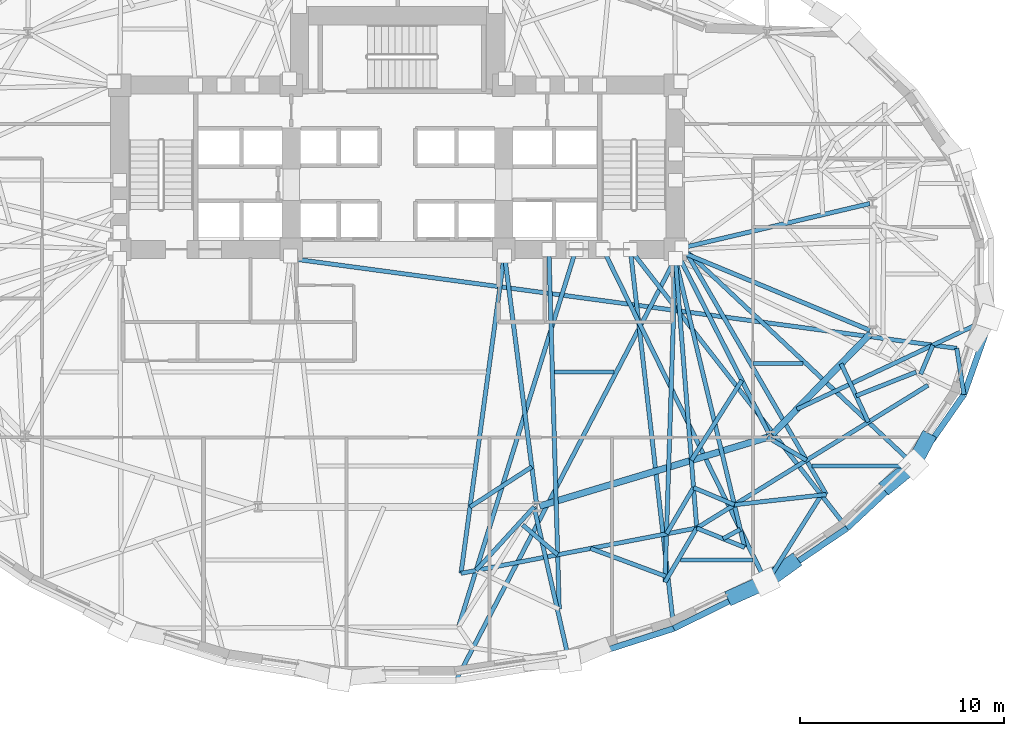
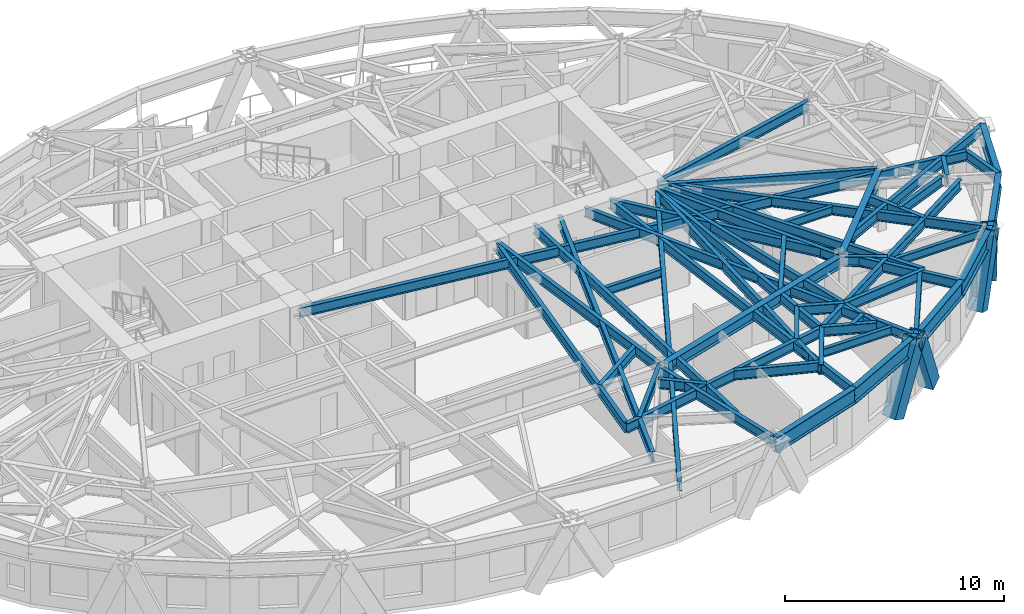
# One storey, part 3 of 15: 50 beams, 4 members.
"""IFC4 building model written with IfcOpenShell, lengths in metres."""

import ifcopenshell
import ifcopenshell.guid

model = None  # the IFC model being written
_history = None  # IfcOwnerHistory: only IFC2X3 demands one
_inside = {}  # id of a spatial element -> (the spatial element, [elements in it])
_under = {}  # id of a project, library or spatial element -> (it, [spatial elements below it])
_declared = {}  # id of a project -> (the project, [libraries it declares])
_typed = {}  # id of a type object -> (the type object, [elements of that type])
_made_of = {}  # id of a material, layer set ... -> (it, [elements and type objects made of it])


def new_model(schema):
    """Start an empty IFC model of exactly this schema.

    Asked for "IFC4X3", IfcOpenShell would pick the latest addendum, in which some entities
    have other attributes; the version numbers below select the first issue.
    IFC2X3 requires an IfcOwnerHistory on every rooted entity: one is made here for all.
    """
    global model, _history
    if schema == "IFC4X3":
        model = ifcopenshell.file(schema_version=(4, 3, 0, 0))
    else:
        model = ifcopenshell.file(schema=schema)
    _inside.clear()
    _under.clear()
    _declared.clear()
    _typed.clear()
    _made_of.clear()
    _history = None
    if model.schema == "IFC2X3":
        org = make("IfcOrganization", Name="unknown")
        user = make(
            "IfcPersonAndOrganization",
            ThePerson=make("IfcPerson", FamilyName="unknown"),
            TheOrganization=org,
        )
        app = make(
            "IfcApplication",
            ApplicationDeveloper=org,
            Version="unknown",
            ApplicationFullName="unknown",
            ApplicationIdentifier="unknown",
        )
        _history = make(
            "IfcOwnerHistory",
            OwningUser=user,
            OwningApplication=app,
            ChangeAction="ADDED",
            CreationDate=0,
        )
    return model


def make(cls, **values):
    """One entity of the class cls with the attributes given. An attribute that is None is left unset."""
    return model.create_entity(
        cls, **{name: value for name, value in values.items() if value is not None}
    )


def rooted(cls, **values):
    """An entity with a GlobalId (a new one), such as an element, a storey or a relation."""
    return make(cls, GlobalId=ifcopenshell.guid.new(), OwnerHistory=_history, **values)


def si_unit(unit_type, name, prefix=None):
    """IfcSIUnit, for example si_unit("LENGTHUNIT", "METRE", prefix="MILLI")."""
    return make("IfcSIUnit", UnitType=unit_type, Prefix=prefix, Name=name)


def assignment(units):
    """IfcUnitAssignment: the units of a project."""
    return None if units is None else make("IfcUnitAssignment", Units=units)


def point(xyz):
    """IfcCartesianPoint."""
    return None if xyz is None else make("IfcCartesianPoint", Coordinates=xyz)


def direction(xyz):
    """IfcDirection."""
    return None if xyz is None else make("IfcDirection", DirectionRatios=xyz)


def frame(location, z_axis=None, x_axis=None):
    """IfcAxis2Placement3D, a coordinate frame: its origin and axes. An axis left out is left unset."""
    return make(
        "IfcAxis2Placement3D",
        Location=point(location),
        Axis=direction(z_axis),
        RefDirection=direction(x_axis),
    )


def frame_2d(location, x_axis=None):
    """IfcAxis2Placement2D, a coordinate frame in the plane: its origin and x axis."""
    return make(
        "IfcAxis2Placement2D", Location=point(location), RefDirection=direction(x_axis)
    )


def origin():
    """The frame at (0, 0, 0) with its axes left unset."""
    return frame((0.0, 0.0, 0.0))


def origin_2d():
    """The frame at (0, 0) in the plane with its x axis left unset."""
    return frame_2d((0.0, 0.0))


def place(relative_to, where):
    """IfcLocalPlacement: puts the frame where relative to a parent placement (None: the world)."""
    return make(
        "IfcLocalPlacement", PlacementRelTo=relative_to, RelativePlacement=where
    )


def context(
    kind, dimensions, precision=None, world=None, true_north=None, identifier=None
):
    """IfcGeometricRepresentationContext, for example the 3D "Model" context."""
    return make(
        "IfcGeometricRepresentationContext",
        ContextIdentifier=identifier,
        ContextType=kind,
        CoordinateSpaceDimension=dimensions,
        Precision=precision,
        WorldCoordinateSystem=world,
        TrueNorth=true_north,
    )


def subcontext(parent, identifier, kind, view, scale=None):
    """IfcGeometricRepresentationSubContext, for example "Body" below "Model"."""
    return make(
        "IfcGeometricRepresentationSubContext",
        ContextIdentifier=identifier,
        ContextType=kind,
        ParentContext=parent,
        TargetScale=scale,
        TargetView=view,
    )


def project(units=None, contexts=None):
    """IfcProject with its units and contexts."""
    return rooted(
        "IfcProject",
        Name="project",
        RepresentationContexts=contexts,
        UnitsInContext=assignment(units),
    )


def spatial(cls, under=None, at=None, **own):
    """A site, building, storey or space (cls), placed at a placement, below another one or the project."""
    s = rooted(cls, ObjectPlacement=at, **own)
    if under is not None:
        _under.setdefault(under.id(), (under, []))[1].append(s)
    return s


def profile(cls, at=None, kind="AREA", **sizes):
    """A parametric profile (cls). Its sizes go by their IFC names, for example OverallWidth=200.0."""
    return make(cls, ProfileType=kind, Position=at, **sizes)


def hollow_rectangle(**sizes):
    """IfcRectangleHollowProfileDef."""
    return profile("IfcRectangleHollowProfileDef", **sizes)


def i_section(**sizes):
    """IfcIShapeProfileDef."""
    return profile("IfcIShapeProfileDef", **sizes)


def extrude(swept, where, along, depth):
    """IfcExtrudedAreaSolid: the profile swept, set in the frame where, extruded along a direction by depth."""
    return make(
        "IfcExtrudedAreaSolid",
        SweptArea=swept,
        Position=where,
        ExtrudedDirection=direction(along),
        Depth=depth,
    )


def shape(context_of_items, identifier, shape_type, items):
    """IfcShapeRepresentation: the items that make up one representation, for example the "Body"."""
    return make(
        "IfcShapeRepresentation",
        ContextOfItems=context_of_items,
        RepresentationIdentifier=identifier,
        RepresentationType=shape_type,
        Items=items,
    )


def material(Name=None, Category=None):
    """IfcMaterial."""
    return make("IfcMaterial", Name=Name, Category=Category)


def material_profile(
    of_material, cross_section, Name=None, Category=None, Priority=None
):
    """IfcMaterialProfile: a cross section and its material."""
    return make(
        "IfcMaterialProfile",
        Name=Name,
        Material=of_material,
        Profile=cross_section,
        Priority=Priority,
        Category=Category,
    )


def profile_set(profiles, Name=None, composite=None):
    """IfcMaterialProfileSet."""
    return make(
        "IfcMaterialProfileSet",
        Name=Name,
        MaterialProfiles=profiles,
        CompositeProfile=composite,
    )


def made_of(thing, what):
    """Note that an element or type object is made of a material, layer set ...; save() writes the relation."""
    if what is not None:
        _made_of.setdefault(what.id(), (what, []))[1].append(thing)
    return thing


def type_object(cls, material=None, **own):
    """A type object (cls), such as IfcWallType, which elements share."""
    return made_of(rooted(cls, **own), material)


def element(
    cls,
    number,
    at=None,
    inside=None,
    cuts=None,
    type_object=None,
    material=None,
    context=None,
    identifier="Body",
    shape_type=None,
    held_by="IfcProductDefinitionShape",
    body=None,
    shapes=None,
    **own,
):
    """One element of the class cls, such as IfcWall. Its Tag is "e" and its number.

    at: its placement. inside: the storey or other place that contains it. cuts: it is an
    opening in that element (IfcRelVoidsElement). A single representation is given by context,
    identifier, shape_type and body (its items); several are given by shapes. held_by: the class
    of the entity that holds the representations. save() writes the other relations.
    """
    e = rooted(cls, Tag="e%d" % number, ObjectPlacement=at, **own)
    if body is not None:
        shapes = [shape(context, identifier, shape_type, body)]
    if shapes is not None:
        e.Representation = make(held_by, Representations=shapes)
    if inside is not None:
        _inside.setdefault(inside.id(), (inside, []))[1].append(e)
    if cuts is not None:
        rooted(
            "IfcRelVoidsElement", RelatingBuildingElement=cuts, RelatedOpeningElement=e
        )
    if type_object is not None:
        _typed.setdefault(type_object.id(), (type_object, []))[1].append(e)
    return made_of(e, material)


def aggregate(whole, parts):
    """IfcRelAggregates: a whole, such as a stair, and the parts it consists of."""
    return rooted("IfcRelAggregates", RelatingObject=whole, RelatedObjects=parts)


def save(model, path):
    """Write the relations noted so far, then the file.

    IfcRelAggregates (storeys below a building ...), IfcRelContainedInSpatialStructure (elements
    in a storey), IfcRelDefinesByType, IfcRelAssociatesMaterial and IfcRelDeclares: one each for
    every whole, place, type object, material and project.
    """
    for whole, parts in _under.values():
        aggregate(whole, parts)
    for where, things in _inside.values():
        rooted(
            "IfcRelContainedInSpatialStructure",
            RelatedElements=things,
            RelatingStructure=where,
        )
    for kind, things in _typed.values():
        rooted("IfcRelDefinesByType", RelatedObjects=things, RelatingType=kind)
    for what, things in _made_of.values():
        rooted("IfcRelAssociatesMaterial", RelatedObjects=things, RelatingMaterial=what)
    for by, libraries in _declared.values():
        rooted("IfcRelDeclares", RelatingContext=by, RelatedDefinitions=libraries)
    model.write(path)


model = new_model("IFC4")

# Units and contexts
model_context = context("Model", 3, precision=1e-05, world=origin(), true_north=direction((0.0, 1.0)))
body_context = subcontext(model_context, "Body", "Model", "MODEL_VIEW")
ifc_project = project(units=[si_unit("LENGTHUNIT", "METRE"), si_unit("AREAUNIT", "SQUARE_METRE"), si_unit("VOLUMEUNIT", "CUBIC_METRE"), si_unit("PLANEANGLEUNIT", "RADIAN"), si_unit("MASSUNIT", "GRAM", prefix="KILO")], contexts=[model_context])

# Site, building, storey
site_placement = place(None, origin())
site = spatial("IfcSite", under=ifc_project, at=site_placement, CompositionType="ELEMENT")
building_placement = place(site_placement, origin())
building = spatial("IfcBuilding", under=site, at=building_placement, Name="Keldmark Tower", CompositionType="ELEMENT")
storey_placement = place(building_placement, frame((0.0, 0.0, 55.800048828125)))
storey = spatial("IfcBuildingStorey", under=building, at=storey_placement, Name="L14", CompositionType="ELEMENT", Elevation=55.800048828125)

# Beams
ifc_material_1 = material(Name="Steel ASTM A992 Grade 50", Category="steel")
ifc_material_profile_1 = material_profile(ifc_material_1, i_section(OverallWidth=0.19091796875, OverallDepth=0.45703125, WebThickness=0.009033203125, FlangeThickness=0.014404296875, at=origin_2d()), Name="W18X50")
ifc_profile_set_1 = profile_set([ifc_material_profile_1], Name="Steel ASTM A992 Grade 50")
beam_type_1 = type_object("IfcBeamType", Name="Composite Floor Joist W18X50", PredefinedType="JOIST", material=ifc_profile_set_1)
beam_1_placement = place(storey_placement, frame((13.841552734375, -13.800048828125, 3.17138671875), z_axis=(1.0, 0.0, 0.0), x_axis=(0.0, 1.0, 0.0)))
element("IfcBeam", 1, at=beam_1_placement, inside=storey, type_object=beam_type_1, Name="L14 Composite Floor Joist J02", PredefinedType="JOIST", context=body_context, shape_type="SweptSolid", body=[
    extrude(i_section(OverallWidth=0.19091796875, OverallDepth=0.45703125, WebThickness=0.009033203125, FlangeThickness=0.014404296875, at=origin_2d()), origin(), (0.0, 0.0, 1.0), 3.562744140625),
])
beam_2_placement = place(storey_placement, frame((20.292724609375, -9.199951171875, 3.17138671875), z_axis=(1.0, 0.0, 0.0), x_axis=(0.0, 1.0, 0.0)))
element("IfcBeam", 2, at=beam_2_placement, inside=storey, type_object=beam_type_1, Name="L14 Composite Floor Joist J04", PredefinedType="JOIST", context=body_context, shape_type="SweptSolid", body=[
    extrude(i_section(OverallWidth=0.19091796875, OverallDepth=0.45703125, WebThickness=0.009033203125, FlangeThickness=0.014404296875, at=origin_2d()), origin(), (0.0, 0.0, 1.0), 4.774658203125),
])
beam_3_placement = place(storey_placement, frame((7.676025390625, -4.60009765625, 3.17138671875), z_axis=(1.0, 0.0, 0.0), x_axis=(0.0, 1.0, 0.0)))
element("IfcBeam", 3, at=beam_3_placement, inside=storey, type_object=beam_type_1, Name="L14 Composite Floor Joist J09", PredefinedType="JOIST", context=body_context, shape_type="SweptSolid", body=[
    extrude(i_section(OverallWidth=0.19091796875, OverallDepth=0.45703125, WebThickness=0.009033203125, FlangeThickness=0.014404296875, at=origin_2d()), origin(), (0.0, 0.0, 1.0), 2.92919921875),
])
beam_4_placement = place(storey_placement, frame((17.38916015625, -4.179931640625, 3.17138671875), z_axis=(1.0, 0.0, 0.0), x_axis=(0.0, 1.0, 0.0)))
element("IfcBeam", 4, at=beam_4_placement, inside=storey, type_object=beam_type_1, Name="L14 Composite Floor Joist J10", PredefinedType="JOIST", context=body_context, shape_type="SweptSolid", body=[
    extrude(i_section(OverallWidth=0.19091796875, OverallDepth=0.45703125, WebThickness=0.009033203125, FlangeThickness=0.014404296875, at=origin_2d()), origin(), (0.0, 0.0, 1.0), 2.45947265625),
])

# Members
ifc_material_2 = material(Name="Steel ASTM A572 Grade 50", Category="steel")
ifc_material_profile_2 = material_profile(ifc_material_2, hollow_rectangle(XDim=0.75, YDim=0.75, WallThickness=0.06494140625, at=origin_2d()), Name="BOX750X750X65")
ifc_profile_set_2 = profile_set([ifc_material_profile_2], Name="Steel ASTM A572 Grade 50")
member_type = type_object("IfcMemberType", Name="Diagrid Lower Brace BOX750X750X65", PredefinedType="BRACE", material=ifc_profile_set_2)
member_1_placement = place(storey_placement, frame((16.474853515625, -15.562744140625, -0.280029296875), z_axis=(0.394398045756, 0.176387521797, 0.901852329186), x_axis=(-0.408262474326, 0.912864585827, 0.0)))
element("IfcMember", 5, at=member_1_placement, inside=storey, type_object=member_type, Name="L14 Perimeter Diagrid Brace 14A", PredefinedType="BRACE", context=body_context, shape_type="SweptSolid", body=[
    extrude(hollow_rectangle(XDim=0.75, YDim=0.75, WallThickness=0.06494140625, at=origin_2d()), origin(), (0.0, 0.0, 1.0), 3.947509765625),
])
member_2_placement = place(storey_placement, frame((19.30078125, -13.953369140625, -0.280029296875), z_axis=(-0.328492196876, -0.23624095182, 0.914485149838), x_axis=(0.583859583591, -0.811854658574, 0.0)))
element("IfcMember", 6, at=member_2_placement, inside=storey, type_object=member_type, Name="L14 Perimeter Diagrid Brace 14B", PredefinedType="BRACE", context=body_context, shape_type="SweptSolid", body=[
    extrude(hollow_rectangle(XDim=0.75, YDim=0.75, WallThickness=0.06494140625, at=origin_2d()), origin(), (0.0, 0.0, 1.0), 3.89306640625),
])
member_3_placement = place(storey_placement, frame((24.06005859375, -10.116943359375, -0.280029296875), z_axis=(0.308266331078, 0.253818310945, 0.916814121921), x_axis=(-0.635635503745, 0.771989317529, 0.0)))
element("IfcMember", 7, at=member_3_placement, inside=storey, type_object=member_type, Name="L14 Perimeter Diagrid Brace 15A", PredefinedType="BRACE", context=body_context, shape_type="SweptSolid", body=[
    extrude(hollow_rectangle(XDim=0.75, YDim=0.75, WallThickness=0.06494140625, at=origin_2d()), origin(), (0.0, 0.0, 1.0), 3.883056640625),
])
member_4_placement = place(storey_placement, frame((25.892578125, -7.9375, -0.280029296875), z_axis=(-0.168418020672, -0.315703742171, 0.933791474309), x_axis=(0.882303395469, -0.470681121721, 0.0)))
element("IfcMember", 8, at=member_4_placement, inside=storey, type_object=member_type, Name="L14 Perimeter Diagrid Brace 15B", PredefinedType="BRACE", context=body_context, shape_type="SweptSolid", body=[
    extrude(hollow_rectangle(XDim=0.75, YDim=0.75, WallThickness=0.06494140625, at=origin_2d()), origin(), (0.0, 0.0, 1.0), 3.8125),
])

# Beams
ifc_material_3 = material(Name="Steel ASTM A992 Grade 50", Category="steel")
ifc_material_profile_3 = material_profile(ifc_material_3, i_section(OverallWidth=0.323974609375, OverallDepth=0.611083984375, WebThickness=0.0126953125, FlangeThickness=0.01904296875, at=origin_2d()), Name="W24X104")
ifc_profile_set_3 = profile_set([ifc_material_profile_3], Name="Steel ASTM A992 Grade 50")
beam_type_2 = type_object("IfcBeamType", Name="Primary Floor Girder W24X104", PredefinedType="BEAM", material=ifc_profile_set_3)
beam_5_placement = place(storey_placement, frame((6.9560546875, -11.165283203125, 3.094482421875), z_axis=(0.957346071406, 0.2889437654, 0.0), x_axis=(-0.2889437654, 0.957346071406, 0.0)))
element("IfcBeam", 9, at=beam_5_placement, inside=storey, type_object=beam_type_2, Name="L14 Floor Ring Girder FG-R10", PredefinedType="BEAM", context=body_context, shape_type="SweptSolid", body=[
    extrude(i_section(OverallWidth=0.323974609375, OverallDepth=0.611083984375, WebThickness=0.0126953125, FlangeThickness=0.01904296875, at=origin_2d()), origin(), (0.0, 0.0, 1.0), 11.66015625),
])
beam_6_placement = place(storey_placement, frame((18.350341796875, -7.6552734375, 3.094482421875), z_axis=(0.697210382268, 0.716866572563, 0.0), x_axis=(-0.716866572563, 0.697210382268, 0.0)))
element("IfcBeam", 10, at=beam_6_placement, inside=storey, type_object=beam_type_2, Name="L14 Floor Ring Girder FG-R11", PredefinedType="BEAM", context=body_context, shape_type="SweptSolid", body=[
    extrude(i_section(OverallWidth=0.323974609375, OverallDepth=0.611083984375, WebThickness=0.0126953125, FlangeThickness=0.01904296875, at=origin_2d()), origin(), (0.0, 0.0, 1.0), 6.893310546875),
])
ifc_material_4 = material(Name="Steel ASTM A992 Grade 50", Category="steel")
ifc_material_profile_4 = material_profile(ifc_material_4, i_section(OverallWidth=0.2099609375, OverallDepth=0.537109375, WebThickness=0.010986328125, FlangeThickness=0.017333984375, at=origin_2d()), Name="W21X68")
ifc_profile_set_4 = profile_set([ifc_material_profile_4], Name="Steel ASTM A992 Grade 50")
beam_type_3 = type_object("IfcBeamType", Name="Radial Tie Girder W21X68", PredefinedType="BEAM", material=ifc_profile_set_4)
beam_7_placement = place(storey_placement, frame((6.569580078125, -9.24462890625, 3.13134765625), z_axis=(-0.838836668828, -0.54438317666, 0.0), x_axis=(0.54438317666, -0.838836668828, 0.0)))
element("IfcBeam", 11, at=beam_7_placement, inside=storey, type_object=beam_type_3, Name="L14 Framing Pin Header PH-008", PredefinedType="BEAM", context=body_context, shape_type="SweptSolid", body=[
    extrude(i_section(OverallWidth=0.2099609375, OverallDepth=0.537109375, WebThickness=0.010986328125, FlangeThickness=0.017333984375, at=origin_2d()), origin(), (0.0, 0.0, 1.0), 3.6025390625),
])
beam_8_placement = place(storey_placement, frame((5.199951171875, 0.949951171875, 3.13134765625), z_axis=(-0.134684338664, -0.990888555247, 0.0), x_axis=(0.990888555247, -0.134684338664, 0.0)))
element("IfcBeam", 12, at=beam_8_placement, inside=storey, type_object=beam_type_3, Name="L14 Sub-Ring Step Girder STP2-M10", PredefinedType="BEAM", context=body_context, shape_type="SweptSolid", body=[
    extrude(i_section(OverallWidth=0.2099609375, OverallDepth=0.537109375, WebThickness=0.010986328125, FlangeThickness=0.017333984375, at=origin_2d()), origin(), (0.0, 0.0, 1.0), 15.54736328125),
])
beam_9_placement = place(storey_placement, frame((16.856201171875, -5.007080078125, 3.13134765625), z_axis=(-0.533798607914, -0.845611640287, 0.0), x_axis=(0.845611640287, -0.533798607914, 0.0)))
element("IfcBeam", 13, at=beam_9_placement, inside=storey, type_object=beam_type_3, Name="L14 Framing Pin Header PH-009", PredefinedType="BEAM", context=body_context, shape_type="SweptSolid", body=[
    extrude(i_section(OverallWidth=0.2099609375, OverallDepth=0.537109375, WebThickness=0.010986328125, FlangeThickness=0.017333984375, at=origin_2d()), origin(), (0.0, 0.0, 1.0), 4.63134765625),
])
beam_10_placement = place(storey_placement, frame((13.60009765625, 0.949951171875, 3.13134765625), z_axis=(0.079164328262, -0.996861579725, 0.0), x_axis=(0.996861579725, 0.079164328262, 0.0)))
element("IfcBeam", 14, at=beam_10_placement, inside=storey, type_object=beam_type_3, Name="L14 Sub-Ring Step Girder STP2-M11", PredefinedType="BEAM", context=body_context, shape_type="SweptSolid", body=[
    extrude(i_section(OverallWidth=0.2099609375, OverallDepth=0.537109375, WebThickness=0.010986328125, FlangeThickness=0.017333984375, at=origin_2d()), origin(), (0.0, 0.0, 1.0), 13.230224609375),
])
beam_11_placement = place(storey_placement, frame((3.10595703125, -14.455810546875, 3.13134765625), z_axis=(0.982045542883, 0.188643981362, 0.0), x_axis=(-0.188643981362, 0.982045542883, 0.0)))
element("IfcBeam", 15, at=beam_11_placement, inside=storey, type_object=beam_type_3, Name="L14 Perimeter Collector Ring Beam CRG2-M10", PredefinedType="BEAM", context=body_context, shape_type="SweptSolid", body=[
    extrude(i_section(OverallWidth=0.2099609375, OverallDepth=0.537109375, WebThickness=0.010986328125, FlangeThickness=0.017333984375, at=origin_2d()), origin(), (0.0, 0.0, 1.0), 11.75244140625),
])
beam_12_placement = place(storey_placement, frame((14.6474609375, -12.23876953125, 3.13134765625), z_axis=(0.850828644284, 0.525443258655, 0.0), x_axis=(-0.525443258655, 0.850828644284, 0.0)))
element("IfcBeam", 16, at=beam_12_placement, inside=storey, type_object=beam_type_3, Name="L14 Perimeter Collector Ring Beam CRG2-M11", PredefinedType="BEAM", context=body_context, shape_type="SweptSolid", body=[
    extrude(i_section(OverallWidth=0.2099609375, OverallDepth=0.537109375, WebThickness=0.010986328125, FlangeThickness=0.017333984375, at=origin_2d()), origin(), (0.0, 0.0, 1.0), 13.302978515625),
])
beam_13_placement = place(storey_placement, frame((6.68212890625, -11.205810546875, 3.13134765625), z_axis=(-0.674270739439, -0.73848423811, 0.0), x_axis=(0.73848423811, -0.674270739439, 0.0)))
element("IfcBeam", 17, at=beam_13_placement, inside=storey, type_object=beam_type_3, Name="L14 Framing Pin Header PH-034", PredefinedType="BEAM", context=body_context, shape_type="SweptSolid", body=[
    extrude(i_section(OverallWidth=0.2099609375, OverallDepth=0.537109375, WebThickness=0.010986328125, FlangeThickness=0.017333984375, at=origin_2d()), origin(), (0.0, 0.0, 1.0), 4.208740234375),
])
beam_14_placement = place(storey_placement, frame((8.735595703125, 1.39990234375, 3.13134765625), z_axis=(-0.297210966924, -0.954811835463, 0.0), x_axis=(0.954811835463, -0.297210966924, 0.0)))
element("IfcBeam", 18, at=beam_14_placement, inside=storey, type_object=beam_type_3, Name="L14 Intermediate Radial Step Girder RT-25M", PredefinedType="BEAM", context=body_context, shape_type="SweptSolid", body=[
    extrude(i_section(OverallWidth=0.2099609375, OverallDepth=0.537109375, WebThickness=0.010986328125, FlangeThickness=0.017333984375, at=origin_2d()), origin(), (0.0, 0.0, 1.0), 19.352294921875),
])
beam_15_placement = place(storey_placement, frame((6.12744140625, -12.086669921875, 3.13134765625), z_axis=(0.760504350573, -0.649332836656, 0.0), x_axis=(0.649332836656, 0.760504350573, 0.0)))
element("IfcBeam", 19, at=beam_15_placement, inside=storey, type_object=beam_type_3, Name="L14 Framing Pin Header PH-035", PredefinedType="BEAM", context=body_context, shape_type="SweptSolid", body=[
    extrude(i_section(OverallWidth=0.2099609375, OverallDepth=0.537109375, WebThickness=0.010986328125, FlangeThickness=0.017333984375, at=origin_2d()), origin(), (0.0, 0.0, 1.0), 2.248779296875),
])
beam_16_placement = place(storey_placement, frame((7.406982421875, 1.39990234375, 3.13134765625), z_axis=(0.028805806113, -0.999585026666, 0.0), x_axis=(0.999585026666, 0.028805806113, 0.0)))
element("IfcBeam", 20, at=beam_16_placement, inside=storey, type_object=beam_type_3, Name="L14 Intermediate Radial Step Girder RT-26M", PredefinedType="BEAM", context=body_context, shape_type="SweptSolid", body=[
    extrude(i_section(OverallWidth=0.2099609375, OverallDepth=0.537109375, WebThickness=0.010986328125, FlangeThickness=0.017333984375, at=origin_2d()), origin(), (0.0, 0.0, 1.0), 17.620361328125),
])
beam_17_placement = place(storey_placement, frame((6.68212890625, -11.205810546875, 3.13134765625), z_axis=(0.222033029675, -0.975039144718, 0.0), x_axis=(0.975039144718, 0.222033029675, 0.0)))
element("IfcBeam", 21, at=beam_17_placement, inside=storey, type_object=beam_type_3, Name="L14 Perimeter Radial Tie Girder RT-26", PredefinedType="BEAM", context=body_context, shape_type="SweptSolid", body=[
    extrude(i_section(OverallWidth=0.2099609375, OverallDepth=0.537109375, WebThickness=0.010986328125, FlangeThickness=0.017333984375, at=origin_2d()), origin(), (0.0, 0.0, 1.0), 7.787109375),
])
beam_18_placement = place(storey_placement, frame((14.490234375, -10.260498046875, 3.13134765625), z_axis=(-0.50516736059, -0.863021400543, 0.0), x_axis=(0.863021400543, -0.50516736059, 0.0)))
element("IfcBeam", 22, at=beam_18_placement, inside=storey, type_object=beam_type_3, Name="L14 Framing Pin Header PH-036", PredefinedType="BEAM", context=body_context, shape_type="SweptSolid", body=[
    extrude(i_section(OverallWidth=0.2099609375, OverallDepth=0.537109375, WebThickness=0.010986328125, FlangeThickness=0.017333984375, at=origin_2d()), origin(), (0.0, 0.0, 1.0), 2.621826171875),
])
beam_19_placement = place(storey_placement, frame((13.60009765625, 0.949951171875, 3.13134765625), z_axis=(-0.032215477314, -0.999480946803, 0.0), x_axis=(0.999480946803, -0.032215477314, 0.0)))
element("IfcBeam", 23, at=beam_19_placement, inside=storey, type_object=beam_type_3, Name="L14 Intermediate Radial Step Girder RT-27M", PredefinedType="BEAM", context=body_context, shape_type="SweptSolid", body=[
    extrude(i_section(OverallWidth=0.2099609375, OverallDepth=0.537109375, WebThickness=0.010986328125, FlangeThickness=0.017333984375, at=origin_2d()), origin(), (0.0, 0.0, 1.0), 15.846435546875),
])
beam_20_placement = place(storey_placement, frame((14.6474609375, -12.23876953125, 3.13134765625), z_axis=(-0.50687084765, -0.862022008885, 0.0), x_axis=(0.862022008885, -0.50687084765, 0.0)))
element("IfcBeam", 24, at=beam_20_placement, inside=storey, type_object=beam_type_3, Name="L14 Local Collector Chord RT-27C", PredefinedType="BEAM", context=body_context, shape_type="SweptSolid", body=[
    extrude(i_section(OverallWidth=0.2099609375, OverallDepth=0.537109375, WebThickness=0.010986328125, FlangeThickness=0.017333984375, at=origin_2d()), origin(), (0.0, 0.0, 1.0), 3.073486328125),
])
beam_21_placement = place(storey_placement, frame((9.45361328125, -13.236328125, 3.13134765625), z_axis=(0.937574175332, -0.347785373112, 0.0), x_axis=(0.347785373112, 0.937574175332, 0.0)))
element("IfcBeam", 25, at=beam_21_placement, inside=storey, type_object=beam_type_3, Name="L14 Framing Pin Header PH-037", PredefinedType="BEAM", context=body_context, shape_type="SweptSolid", body=[
    extrude(i_section(OverallWidth=0.2099609375, OverallDepth=0.537109375, WebThickness=0.010986328125, FlangeThickness=0.017333984375, at=origin_2d()), origin(), (0.0, 0.0, 1.0), 4.034423828125),
])
beam_22_placement = place(storey_placement, frame((11.392822265625, 1.39990234375, 3.13134765625), z_axis=(0.114156713628, -0.993462754578, 0.0), x_axis=(0.993462754578, 0.114156713628, 0.0)))
element("IfcBeam", 26, at=beam_22_placement, inside=storey, type_object=beam_type_3, Name="L14 Perimeter Radial Tie Girder RT-27", PredefinedType="BEAM", context=body_context, shape_type="SweptSolid", body=[
    extrude(i_section(OverallWidth=0.2099609375, OverallDepth=0.537109375, WebThickness=0.010986328125, FlangeThickness=0.017333984375, at=origin_2d()), origin(), (0.0, 0.0, 1.0), 18.6767578125),
])
beam_23_placement = place(storey_placement, frame((14.490234375, -10.260498046875, 3.13134765625), z_axis=(0.921893669032, -0.387442980319, 0.0), x_axis=(0.387442980319, 0.921893669032, 0.0)))
element("IfcBeam", 27, at=beam_23_placement, inside=storey, type_object=beam_type_3, Name="L14 Framing Pin Header PH-038", PredefinedType="BEAM", context=body_context, shape_type="SweptSolid", body=[
    extrude(i_section(OverallWidth=0.2099609375, OverallDepth=0.537109375, WebThickness=0.010986328125, FlangeThickness=0.017333984375, at=origin_2d()), origin(), (0.0, 0.0, 1.0), 2.1689453125),
])
beam_24_placement = place(storey_placement, frame((13.60009765625, 0.949951171875, 3.13134765625), z_axis=(0.233174767507, -0.972434845014, 0.0), x_axis=(0.972434845014, 0.233174767507, 0.0)))
element("IfcBeam", 28, at=beam_24_placement, inside=storey, type_object=beam_type_3, Name="L14 Intermediate Radial Step Girder RT-28M", PredefinedType="BEAM", context=body_context, shape_type="SweptSolid", body=[
    extrude(i_section(OverallWidth=0.2099609375, OverallDepth=0.537109375, WebThickness=0.010986328125, FlangeThickness=0.017333984375, at=origin_2d()), origin(), (0.0, 0.0, 1.0), 14.536865234375),
])
beam_25_placement = place(storey_placement, frame((14.6474609375, -12.23876953125, 3.13134765625), z_axis=(0.927023604597, -0.375002982014, 0.0), x_axis=(0.375002982014, 0.927023604597, 0.0)))
element("IfcBeam", 29, at=beam_25_placement, inside=storey, type_object=beam_type_3, Name="L14 Local Collector Chord RT-28C", PredefinedType="BEAM", context=body_context, shape_type="SweptSolid", body=[
    extrude(i_section(OverallWidth=0.2099609375, OverallDepth=0.537109375, WebThickness=0.010986328125, FlangeThickness=0.017333984375, at=origin_2d()), origin(), (0.0, 0.0, 1.0), 2.526611328125),
])
beam_26_placement = place(storey_placement, frame((15.935791015625, -12.760009765625, 3.13134765625), z_axis=(0.878566419625, 0.477620190431, 0.0), x_axis=(-0.477620190431, 0.878566419625, 0.0)))
element("IfcBeam", 30, at=beam_26_placement, inside=storey, type_object=beam_type_3, Name="L14 Framing Pin Header PH-039", PredefinedType="BEAM", context=body_context, shape_type="SweptSolid", body=[
    extrude(i_section(OverallWidth=0.2099609375, OverallDepth=0.537109375, WebThickness=0.010986328125, FlangeThickness=0.017333984375, at=origin_2d()), origin(), (0.0, 0.0, 1.0), 0.95849609375),
])
beam_27_placement = place(storey_placement, frame((10.064208984375, 1.39990234375, 3.13134765625), z_axis=(0.439987514423, -0.898003890388, 0.0), x_axis=(0.898003890388, 0.439987514423, 0.0)))
element("IfcBeam", 31, at=beam_27_placement, inside=storey, type_object=beam_type_3, Name="L14 Perimeter Radial Tie Girder RT-28", PredefinedType="BEAM", context=body_context, shape_type="SweptSolid", body=[
    extrude(i_section(OverallWidth=0.2099609375, OverallDepth=0.537109375, WebThickness=0.010986328125, FlangeThickness=0.017333984375, at=origin_2d()), origin(), (0.0, 0.0, 1.0), 18.1728515625),
])
beam_28_placement = place(storey_placement, frame((18.118896484375, -7.796142578125, 3.13134765625), z_axis=(0.860627104753, -0.50923568862, 0.0), x_axis=(0.50923568862, 0.860627104753, 0.0)))
element("IfcBeam", 32, at=beam_28_placement, inside=storey, type_object=beam_type_3, Name="L14 Framing Pin Header PH-040", PredefinedType="BEAM", context=body_context, shape_type="SweptSolid", body=[
    extrude(i_section(OverallWidth=0.2099609375, OverallDepth=0.537109375, WebThickness=0.010986328125, FlangeThickness=0.017333984375, at=origin_2d()), origin(), (0.0, 0.0, 1.0), 2.208740234375),
])
beam_29_placement = place(storey_placement, frame((14.050048828125, 1.39990234375, 3.13134765625), z_axis=(0.500686951997, -0.865628428426, 0.0), x_axis=(0.865628428426, 0.500686951997, 0.0)))
element("IfcBeam", 33, at=beam_29_placement, inside=storey, type_object=beam_type_3, Name="L14 Intermediate Radial Step Girder RT-29M", PredefinedType="BEAM", context=body_context, shape_type="SweptSolid", body=[
    extrude(i_section(OverallWidth=0.2099609375, OverallDepth=0.537109375, WebThickness=0.010986328125, FlangeThickness=0.017333984375, at=origin_2d()), origin(), (0.0, 0.0, 1.0), 13.859375),
])
beam_30_placement = place(storey_placement, frame((16.48974609375, -11.100830078125, 3.13134765625), z_axis=(0.993793313764, 0.111242300938, 0.0), x_axis=(-0.111242300938, 0.993793313764, 0.0)))
element("IfcBeam", 34, at=beam_30_placement, inside=storey, type_object=beam_type_3, Name="L14 Local Collector Chord RT-29C", PredefinedType="BEAM", context=body_context, shape_type="SweptSolid", body=[
    extrude(i_section(OverallWidth=0.2099609375, OverallDepth=0.537109375, WebThickness=0.010986328125, FlangeThickness=0.017333984375, at=origin_2d()), origin(), (0.0, 0.0, 1.0), 4.527587890625),
])
beam_31_placement = place(storey_placement, frame((18.06005859375, -14.91943359375, 3.13134765625), z_axis=(0.530276161287, 0.847824977676, 0.0), x_axis=(-0.847824977676, 0.530276161287, 0.0)))
element("IfcBeam", 35, at=beam_31_placement, inside=storey, type_object=beam_type_3, Name="L14 Framing Pin Header PH-041", PredefinedType="BEAM", context=body_context, shape_type="SweptSolid", body=[
    extrude(i_section(OverallWidth=0.2099609375, OverallDepth=0.537109375, WebThickness=0.010986328125, FlangeThickness=0.017333984375, at=origin_2d()), origin(), (0.0, 0.0, 1.0), 5.06591796875),
])
beam_32_placement = place(storey_placement, frame((11.392822265625, 1.39990234375, 3.13134765625), z_axis=(0.613994390337, -0.789310388019, 0.0), x_axis=(0.789310388019, 0.613994390337, 0.0)))
element("IfcBeam", 36, at=beam_32_placement, inside=storey, type_object=beam_type_3, Name="L14 Perimeter Radial Tie Girder RT-29", PredefinedType="BEAM", context=body_context, shape_type="SweptSolid", body=[
    extrude(i_section(OverallWidth=0.2099609375, OverallDepth=0.537109375, WebThickness=0.010986328125, FlangeThickness=0.017333984375, at=origin_2d()), origin(), (0.0, 0.0, 1.0), 17.2861328125),
])
beam_33_placement = place(storey_placement, frame((21.714599609375, -4.196044921875, 3.13134765625), z_axis=(0.423156933926, -0.906056405126, 0.0), x_axis=(0.906056405126, 0.423156933926, 0.0)))
element("IfcBeam", 37, at=beam_33_placement, inside=storey, type_object=beam_type_3, Name="L14 Framing Pin Header PH-042", PredefinedType="BEAM", context=body_context, shape_type="SweptSolid", body=[
    extrude(i_section(OverallWidth=0.2099609375, OverallDepth=0.537109375, WebThickness=0.010986328125, FlangeThickness=0.017333984375, at=origin_2d()), origin(), (0.0, 0.0, 1.0), 3.150634765625),
])
beam_34_placement = place(storey_placement, frame((14.050048828125, 1.39990234375, 3.13134765625), z_axis=(0.728914547715, -0.684604690408, 0.0), x_axis=(0.684604690408, 0.728914547715, 0.0)))
element("IfcBeam", 38, at=beam_34_placement, inside=storey, type_object=beam_type_3, Name="L14 Perimeter Radial Tie Girder RT-30", PredefinedType="BEAM", context=body_context, shape_type="SweptSolid", body=[
    extrude(i_section(OverallWidth=0.2099609375, OverallDepth=0.537109375, WebThickness=0.010986328125, FlangeThickness=0.017333984375, at=origin_2d()), origin(), (0.0, 0.0, 1.0), 15.4384765625),
])
beam_35_placement = place(storey_placement, frame((22.447998046875, -5.76611328125, 3.13134765625), z_axis=(0.929659054681, 0.368421011955, 0.0), x_axis=(-0.368421011955, 0.929659054681, 0.0)))
element("IfcBeam", 39, at=beam_35_placement, inside=storey, type_object=beam_type_3, Name="L14 Framing Pin Header PH-043", PredefinedType="BEAM", context=body_context, shape_type="SweptSolid", body=[
    extrude(i_section(OverallWidth=0.2099609375, OverallDepth=0.537109375, WebThickness=0.010986328125, FlangeThickness=0.017333984375, at=origin_2d()), origin(), (0.0, 0.0, 1.0), 3.162841796875),
])
beam_36_placement = place(storey_placement, frame((-5.199951171875, 0.949951171875, 3.13134765625), z_axis=(0.991037398007, -0.133584713762, 0.0), x_axis=(0.133584713762, 0.991037398007, 0.0)))
element("IfcBeam", 40, at=beam_36_placement, inside=storey, type_object=beam_type_3, Name="L14 Intermediate Radial Step Girder RT-32M", PredefinedType="BEAM", context=body_context, shape_type="SweptSolid", body=[
    extrude(i_section(OverallWidth=0.2099609375, OverallDepth=0.537109375, WebThickness=0.010986328125, FlangeThickness=0.017333984375, at=origin_2d()), origin(), (0.0, 0.0, 1.0), 32.86962890625),
])
beam_37_placement = place(storey_placement, frame((27.72802734375, -5.702392578125, 3.13134765625), z_axis=(-0.154236964098, 0.988033885505, 0.0), x_axis=(-0.988033885505, -0.154236964098, 0.0)))
element("IfcBeam", 41, at=beam_37_placement, inside=storey, type_object=beam_type_3, Name="L14 Local Collector Chord RT-32C", PredefinedType="BEAM", context=body_context, shape_type="SweptSolid", body=[
    extrude(i_section(OverallWidth=0.2099609375, OverallDepth=0.537109375, WebThickness=0.010986328125, FlangeThickness=0.017333984375, at=origin_2d()), origin(), (0.0, 0.0, 1.0), 2.288818359375),
])
beam_38_placement = place(storey_placement, frame((25.60888671875, -4.70458984375, 3.13134765625), z_axis=(0.38833299978, 0.92151911607, 0.0), x_axis=(-0.92151911607, 0.38833299978, 0.0)))
element("IfcBeam", 42, at=beam_38_placement, inside=storey, type_object=beam_type_3, Name="L14 Framing Pin Header PH-045", PredefinedType="BEAM", context=body_context, shape_type="SweptSolid", body=[
    extrude(i_section(OverallWidth=0.2099609375, OverallDepth=0.537109375, WebThickness=0.010986328125, FlangeThickness=0.017333984375, at=origin_2d()), origin(), (0.0, 0.0, 1.0), 1.542236328125),
])
beam_39_placement = place(storey_placement, frame((19.552001953125, -6.419921875, 3.13134765625), z_axis=(0.904588486702, 0.426285901392, 0.0), x_axis=(-0.426285901392, 0.904588486702, 0.0)))
element("IfcBeam", 43, at=beam_39_placement, inside=storey, type_object=beam_type_3, Name="L14 Perimeter Radial Tie Girder RT-32", PredefinedType="BEAM", context=body_context, shape_type="SweptSolid", body=[
    extrude(i_section(OverallWidth=0.2099609375, OverallDepth=0.537109375, WebThickness=0.010986328125, FlangeThickness=0.017333984375, at=origin_2d()), origin(), (0.0, 0.0, 1.0), 10.5087890625),
])
beam_40_placement = place(storey_placement, frame((13.60009765625, 0.949951171875, 3.13134765625), z_axis=(-0.461351415569, -0.887217488191, 0.0), x_axis=(0.887217488191, -0.461351415569, 0.0)))
element("IfcBeam", 44, at=beam_40_placement, inside=storey, type_object=beam_type_3, Name="L14 Perimeter Radial Tie Girder RT-25R", PredefinedType="BEAM", context=body_context, shape_type="SweptSolid", body=[
    extrude(i_section(OverallWidth=0.2099609375, OverallDepth=0.537109375, WebThickness=0.010986328125, FlangeThickness=0.017333984375, at=origin_2d()), origin(), (0.0, 0.0, 1.0), 23.275146484375),
])
ifc_material_5 = material(Name="Steel ASTM A992 Grade 50", Category="steel")
ifc_material_profile_5 = material_profile(ifc_material_5, i_section(OverallWidth=0.214111328125, OverallDepth=0.549072265625, WebThickness=0.0146484375, FlangeThickness=0.023681640625, at=origin_2d()), Name="W21X93")
ifc_profile_set_5 = profile_set([ifc_material_profile_5], Name="Steel ASTM A992 Grade 50")
beam_type_4 = type_object("IfcBeamType", Name="Radial Tie Girder W21X93", PredefinedType="BEAM", material=ifc_profile_set_5)
beam_41_placement = place(storey_placement, frame((23.11767578125, 3.64501953125, 3.12548828125), z_axis=(-0.973287364179, -0.229590301909, 0.0), x_axis=(0.229590301909, -0.973287364179, 0.0)))
element("IfcBeam", 45, at=beam_41_placement, inside=storey, type_object=beam_type_4, Name="L14 Floor Radial Girder FG-C01", PredefinedType="BEAM", context=body_context, shape_type="SweptSolid", body=[
    extrude(i_section(OverallWidth=0.214111328125, OverallDepth=0.549072265625, WebThickness=0.0146484375, FlangeThickness=0.023681640625, at=origin_2d()), origin(), (0.0, 0.0, 1.0), 9.458740234375),
])
beam_42_placement = place(storey_placement, frame((6.80419921875, -11.06689453125, 3.12548828125), z_axis=(-0.127634898593, 0.99182122011, 0.0), x_axis=(-0.99182122011, -0.127634898593, 0.0)))
element("IfcBeam", 46, at=beam_42_placement, inside=storey, type_object=beam_type_4, Name="L14 Floor Radial Girder FG-C10", PredefinedType="BEAM", context=body_context, shape_type="SweptSolid", body=[
    extrude(i_section(OverallWidth=0.214111328125, OverallDepth=0.549072265625, WebThickness=0.0146484375, FlangeThickness=0.023681640625, at=origin_2d()), origin(), (0.0, 0.0, 1.0), 12.24951171875),
])
beam_43_placement = place(storey_placement, frame((18.189453125, -7.630859375, 3.12548828125), z_axis=(-0.453037526986, 0.891491446478, 0.0), x_axis=(-0.891491446478, -0.453037526986, 0.0)))
element("IfcBeam", 47, at=beam_43_placement, inside=storey, type_object=beam_type_4, Name="L14 Floor Radial Girder FG-C11", PredefinedType="BEAM", context=body_context, shape_type="SweptSolid", body=[
    extrude(i_section(OverallWidth=0.214111328125, OverallDepth=0.549072265625, WebThickness=0.0146484375, FlangeThickness=0.023681640625, at=origin_2d()), origin(), (0.0, 0.0, 1.0), 9.81005859375),
])
beam_44_placement = place(storey_placement, frame((23.124755859375, -2.5595703125, 3.12548828125), z_axis=(-0.923390978102, 0.383860784088, 0.0), x_axis=(-0.383860784088, -0.923390978102, 0.0)))
element("IfcBeam", 48, at=beam_44_placement, inside=storey, type_object=beam_type_4, Name="L14 Floor Radial Girder FG-C12", PredefinedType="BEAM", context=body_context, shape_type="SweptSolid", body=[
    extrude(i_section(OverallWidth=0.214111328125, OverallDepth=0.549072265625, WebThickness=0.0146484375, FlangeThickness=0.023681640625, at=origin_2d()), origin(), (0.0, 0.0, 1.0), 9.994873046875),
])
ifc_material_6 = material(Name="Steel ASTM A992 Grade 50", Category="steel")
ifc_material_profile_6 = material_profile(ifc_material_6, i_section(OverallWidth=0.2919921875, OverallDepth=0.85888671875, WebThickness=0.01708984375, FlangeThickness=0.031005859375, at=origin_2d()), Name="W33X169")
ifc_profile_set_6 = profile_set([ifc_material_profile_6], Name="Steel ASTM A992 Grade 50")
beam_type_5 = type_object("IfcBeamType", Name="Spandrel Ring Beam W33X169", PredefinedType="SPANDREL", material=ifc_profile_set_6)
beam_45_placement = place(storey_placement, frame((8.4111328125, -18.798583984375, 2.970458984375), z_axis=(0.95202383213, 0.30602389295, 0.0), x_axis=(-0.30602389295, 0.95202383213, 0.0)))
element("IfcBeam", 49, at=beam_45_placement, inside=storey, type_object=beam_type_5, Name="L14 Perimeter Spandrel Ring Beam SRB-26", PredefinedType="SPANDREL", context=body_context, shape_type="SweptSolid", body=[
    extrude(i_section(OverallWidth=0.2919921875, OverallDepth=0.85888671875, WebThickness=0.01708984375, FlangeThickness=0.031005859375, at=origin_2d()), origin(), (0.0, 0.0, 1.0), 5.37158203125),
])
beam_46_placement = place(storey_placement, frame((13.52490234375, -17.15478515625, 2.970458984375), z_axis=(0.896962161347, 0.442107318545, 0.0), x_axis=(-0.442107318545, 0.896962161347, 0.0)))
element("IfcBeam", 50, at=beam_46_placement, inside=storey, type_object=beam_type_5, Name="L14 Perimeter Spandrel Ring Beam SRB-27", PredefinedType="SPANDREL", context=body_context, shape_type="SweptSolid", body=[
    extrude(i_section(OverallWidth=0.2919921875, OverallDepth=0.85888671875, WebThickness=0.01708984375, FlangeThickness=0.031005859375, at=origin_2d()), origin(), (0.0, 0.0, 1.0), 5.05615234375),
])
beam_47_placement = place(storey_placement, frame((18.06005859375, -14.91943359375, 2.970458984375), z_axis=(0.827723816917, 0.561135708103, 0.0), x_axis=(-0.561135708103, 0.827723816917, 0.0)))
element("IfcBeam", 51, at=beam_47_placement, inside=storey, type_object=beam_type_5, Name="L14 Perimeter Spandrel Ring Beam SRB-28", PredefinedType="SPANDREL", context=body_context, shape_type="SweptSolid", body=[
    extrude(i_section(OverallWidth=0.2919921875, OverallDepth=0.85888671875, WebThickness=0.01708984375, FlangeThickness=0.031005859375, at=origin_2d()), origin(), (0.0, 0.0, 1.0), 4.767578125),
])
beam_48_placement = place(storey_placement, frame((22.00634765625, -12.244140625, 2.970458984375), z_axis=(0.731343335822, 0.682009475849, 0.0), x_axis=(-0.682009475849, 0.731343335822, 0.0)))
element("IfcBeam", 52, at=beam_48_placement, inside=storey, type_object=beam_type_5, Name="L14 Perimeter Spandrel Ring Beam SRB-29", PredefinedType="SPANDREL", context=body_context, shape_type="SweptSolid", body=[
    extrude(i_section(OverallWidth=0.2919921875, OverallDepth=0.85888671875, WebThickness=0.01708984375, FlangeThickness=0.031005859375, at=origin_2d()), origin(), (0.0, 0.0, 1.0), 4.50830078125),
])
beam_49_placement = place(storey_placement, frame((25.303466796875, -9.16943359375, 2.970458984375), z_axis=(0.573086608679, 0.819494807154, 0.0), x_axis=(-0.819494807154, 0.573086608679, 0.0)))
element("IfcBeam", 53, at=beam_49_placement, inside=storey, type_object=beam_type_5, Name="L14 Perimeter Spandrel Ring Beam SRB-30", PredefinedType="SPANDREL", context=body_context, shape_type="SweptSolid", body=[
    extrude(i_section(OverallWidth=0.2919921875, OverallDepth=0.85888671875, WebThickness=0.01708984375, FlangeThickness=0.031005859375, at=origin_2d()), origin(), (0.0, 0.0, 1.0), 4.230712890625),
])
beam_50_placement = place(storey_placement, frame((27.72802734375, -5.702392578125, 2.970458984375), z_axis=(0.333319315882, 0.942813997382, 0.0), x_axis=(-0.942813997382, 0.333319315882, 0.0)))
element("IfcBeam", 54, at=beam_50_placement, inside=storey, type_object=beam_type_5, Name="L14 Perimeter Spandrel Ring Beam SRB-31", PredefinedType="SPANDREL", context=body_context, shape_type="SweptSolid", body=[
    extrude(i_section(OverallWidth=0.2919921875, OverallDepth=0.85888671875, WebThickness=0.01708984375, FlangeThickness=0.031005859375, at=origin_2d()), origin(), (0.0, 0.0, 1.0), 3.990478515625),
])

save(model, "model.ifc")
